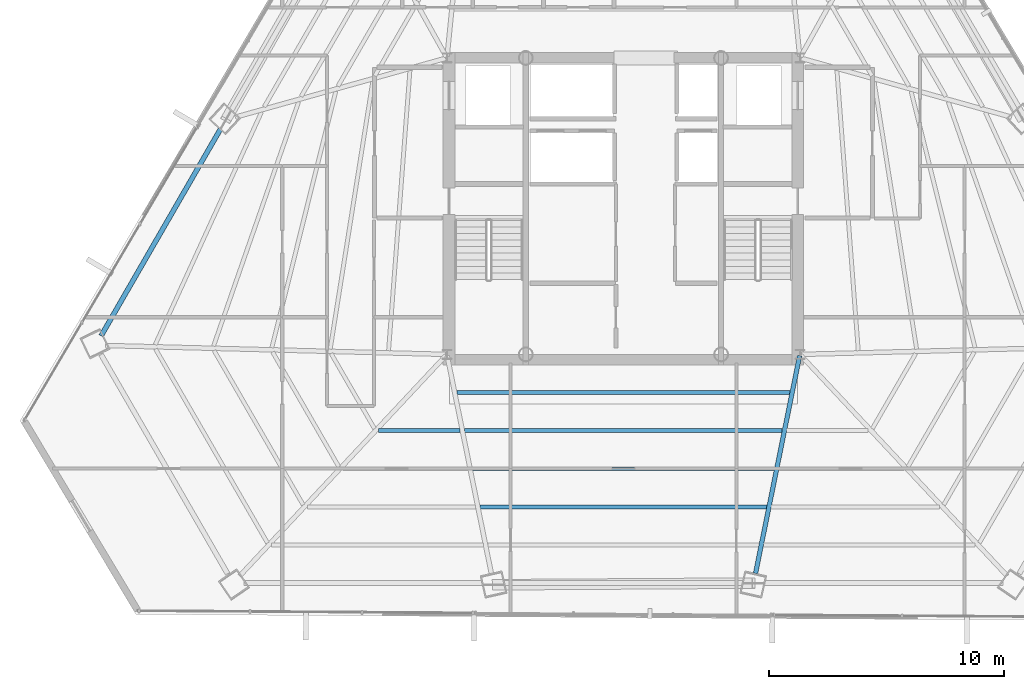
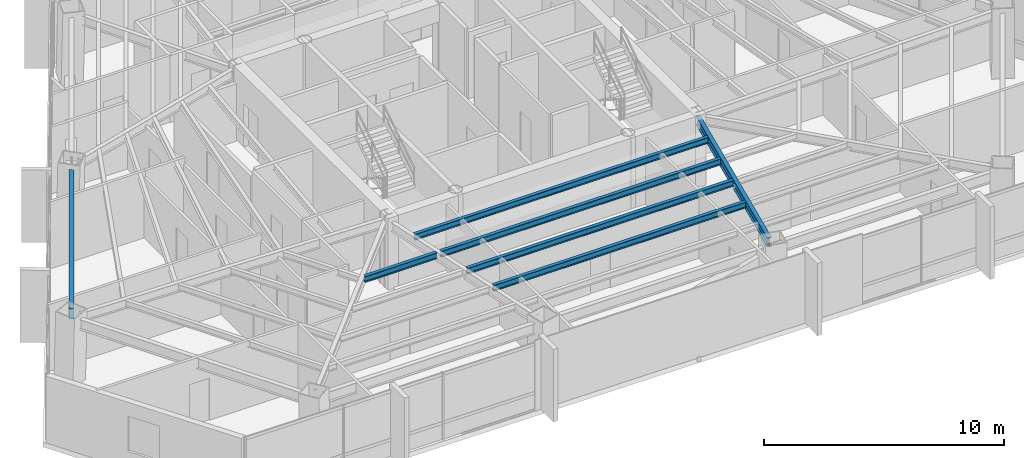
# One storey, part 11 of 41: 7 beams.
"""IFC4 building model written with IfcOpenShell, lengths in metres."""

import ifcopenshell
import ifcopenshell.guid

model = None  # the IFC model being written
_history = None  # IfcOwnerHistory: only IFC2X3 demands one
_inside = {}  # id of a spatial element -> (the spatial element, [elements in it])
_under = {}  # id of a project, library or spatial element -> (it, [spatial elements below it])
_declared = {}  # id of a project -> (the project, [libraries it declares])
_typed = {}  # id of a type object -> (the type object, [elements of that type])
_made_of = {}  # id of a material, layer set ... -> (it, [elements and type objects made of it])


def new_model(schema):
    """Start an empty IFC model of exactly this schema.

    Asked for "IFC4X3", IfcOpenShell would pick the latest addendum, in which some entities
    have other attributes; the version numbers below select the first issue.
    IFC2X3 requires an IfcOwnerHistory on every rooted entity: one is made here for all.
    """
    global model, _history
    if schema == "IFC4X3":
        model = ifcopenshell.file(schema_version=(4, 3, 0, 0))
    else:
        model = ifcopenshell.file(schema=schema)
    _inside.clear()
    _under.clear()
    _declared.clear()
    _typed.clear()
    _made_of.clear()
    _history = None
    if model.schema == "IFC2X3":
        org = make("IfcOrganization", Name="unknown")
        user = make(
            "IfcPersonAndOrganization",
            ThePerson=make("IfcPerson", FamilyName="unknown"),
            TheOrganization=org,
        )
        app = make(
            "IfcApplication",
            ApplicationDeveloper=org,
            Version="unknown",
            ApplicationFullName="unknown",
            ApplicationIdentifier="unknown",
        )
        _history = make(
            "IfcOwnerHistory",
            OwningUser=user,
            OwningApplication=app,
            ChangeAction="ADDED",
            CreationDate=0,
        )
    return model


def make(cls, **values):
    """One entity of the class cls with the attributes given. An attribute that is None is left unset."""
    return model.create_entity(
        cls, **{name: value for name, value in values.items() if value is not None}
    )


def rooted(cls, **values):
    """An entity with a GlobalId (a new one), such as an element, a storey or a relation."""
    return make(cls, GlobalId=ifcopenshell.guid.new(), OwnerHistory=_history, **values)


def si_unit(unit_type, name, prefix=None):
    """IfcSIUnit, for example si_unit("LENGTHUNIT", "METRE", prefix="MILLI")."""
    return make("IfcSIUnit", UnitType=unit_type, Prefix=prefix, Name=name)


def assignment(units):
    """IfcUnitAssignment: the units of a project."""
    return None if units is None else make("IfcUnitAssignment", Units=units)


def point(xyz):
    """IfcCartesianPoint."""
    return None if xyz is None else make("IfcCartesianPoint", Coordinates=xyz)


def direction(xyz):
    """IfcDirection."""
    return None if xyz is None else make("IfcDirection", DirectionRatios=xyz)


def frame(location, z_axis=None, x_axis=None):
    """IfcAxis2Placement3D, a coordinate frame: its origin and axes. An axis left out is left unset."""
    return make(
        "IfcAxis2Placement3D",
        Location=point(location),
        Axis=direction(z_axis),
        RefDirection=direction(x_axis),
    )


def frame_2d(location, x_axis=None):
    """IfcAxis2Placement2D, a coordinate frame in the plane: its origin and x axis."""
    return make(
        "IfcAxis2Placement2D", Location=point(location), RefDirection=direction(x_axis)
    )


def origin():
    """The frame at (0, 0, 0) with its axes left unset."""
    return frame((0.0, 0.0, 0.0))


def origin_2d():
    """The frame at (0, 0) in the plane with its x axis left unset."""
    return frame_2d((0.0, 0.0))


def place(relative_to, where):
    """IfcLocalPlacement: puts the frame where relative to a parent placement (None: the world)."""
    return make(
        "IfcLocalPlacement", PlacementRelTo=relative_to, RelativePlacement=where
    )


def context(
    kind, dimensions, precision=None, world=None, true_north=None, identifier=None
):
    """IfcGeometricRepresentationContext, for example the 3D "Model" context."""
    return make(
        "IfcGeometricRepresentationContext",
        ContextIdentifier=identifier,
        ContextType=kind,
        CoordinateSpaceDimension=dimensions,
        Precision=precision,
        WorldCoordinateSystem=world,
        TrueNorth=true_north,
    )


def subcontext(parent, identifier, kind, view, scale=None):
    """IfcGeometricRepresentationSubContext, for example "Body" below "Model"."""
    return make(
        "IfcGeometricRepresentationSubContext",
        ContextIdentifier=identifier,
        ContextType=kind,
        ParentContext=parent,
        TargetScale=scale,
        TargetView=view,
    )


def project(units=None, contexts=None):
    """IfcProject with its units and contexts."""
    return rooted(
        "IfcProject",
        Name="project",
        RepresentationContexts=contexts,
        UnitsInContext=assignment(units),
    )


def spatial(cls, under=None, at=None, **own):
    """A site, building, storey or space (cls), placed at a placement, below another one or the project."""
    s = rooted(cls, ObjectPlacement=at, **own)
    if under is not None:
        _under.setdefault(under.id(), (under, []))[1].append(s)
    return s


def profile(cls, at=None, kind="AREA", **sizes):
    """A parametric profile (cls). Its sizes go by their IFC names, for example OverallWidth=200.0."""
    return make(cls, ProfileType=kind, Position=at, **sizes)


def i_section(**sizes):
    """IfcIShapeProfileDef."""
    return profile("IfcIShapeProfileDef", **sizes)


def extrude(swept, where, along, depth):
    """IfcExtrudedAreaSolid: the profile swept, set in the frame where, extruded along a direction by depth."""
    return make(
        "IfcExtrudedAreaSolid",
        SweptArea=swept,
        Position=where,
        ExtrudedDirection=direction(along),
        Depth=depth,
    )


def shape(context_of_items, identifier, shape_type, items):
    """IfcShapeRepresentation: the items that make up one representation, for example the "Body"."""
    return make(
        "IfcShapeRepresentation",
        ContextOfItems=context_of_items,
        RepresentationIdentifier=identifier,
        RepresentationType=shape_type,
        Items=items,
    )


def source(mapping_origin, context_of_items, identifier, shape_type, items):
    """IfcRepresentationMap: a shape defined once, which mapped items show again and again."""
    return make(
        "IfcRepresentationMap",
        MappingOrigin=mapping_origin,
        MappedRepresentation=shape(context_of_items, identifier, shape_type, items),
    )


def transform(
    local_origin,
    x_axis=None,
    y_axis=None,
    z_axis=None,
    scale=None,
    scale2=None,
    scale3=None,
    uniform=True,
):
    """IfcCartesianTransformationOperator3D, or its non-uniform kind. x_axis, y_axis, z_axis: its Axis1, 2, 3."""
    if uniform:
        return make(
            "IfcCartesianTransformationOperator3D",
            Axis1=direction(x_axis),
            Axis2=direction(y_axis),
            LocalOrigin=point(local_origin),
            Scale=scale,
            Axis3=direction(z_axis),
        )
    return make(
        "IfcCartesianTransformationOperator3DnonUniform",
        Axis1=direction(x_axis),
        Axis2=direction(y_axis),
        LocalOrigin=point(local_origin),
        Scale=scale,
        Axis3=direction(z_axis),
        Scale2=scale2,
        Scale3=scale3,
    )


def mapped(mapping_source, mapping_target):
    """IfcMappedItem: shows the shape of a source again, moved by a transform."""
    return make(
        "IfcMappedItem", MappingSource=mapping_source, MappingTarget=mapping_target
    )


def material(Name=None, Category=None):
    """IfcMaterial."""
    return make("IfcMaterial", Name=Name, Category=Category)


def material_profile(
    of_material, cross_section, Name=None, Category=None, Priority=None
):
    """IfcMaterialProfile: a cross section and its material."""
    return make(
        "IfcMaterialProfile",
        Name=Name,
        Material=of_material,
        Profile=cross_section,
        Priority=Priority,
        Category=Category,
    )


def profile_set(profiles, Name=None, composite=None):
    """IfcMaterialProfileSet."""
    return make(
        "IfcMaterialProfileSet",
        Name=Name,
        MaterialProfiles=profiles,
        CompositeProfile=composite,
    )


def made_of(thing, what):
    """Note that an element or type object is made of a material, layer set ...; save() writes the relation."""
    if what is not None:
        _made_of.setdefault(what.id(), (what, []))[1].append(thing)
    return thing


def type_object(cls, material=None, **own):
    """A type object (cls), such as IfcWallType, which elements share."""
    return made_of(rooted(cls, **own), material)


def type_shapes(of_type, sources):
    """Give a type object the sources (RepresentationMaps) that its elements show as mapped items."""
    of_type.RepresentationMaps = sources


def element(
    cls,
    number,
    at=None,
    inside=None,
    cuts=None,
    type_object=None,
    material=None,
    context=None,
    identifier="Body",
    shape_type=None,
    held_by="IfcProductDefinitionShape",
    body=None,
    shapes=None,
    **own,
):
    """One element of the class cls, such as IfcWall. Its Tag is "e" and its number.

    at: its placement. inside: the storey or other place that contains it. cuts: it is an
    opening in that element (IfcRelVoidsElement). A single representation is given by context,
    identifier, shape_type and body (its items); several are given by shapes. held_by: the class
    of the entity that holds the representations. save() writes the other relations.
    """
    e = rooted(cls, Tag="e%d" % number, ObjectPlacement=at, **own)
    if body is not None:
        shapes = [shape(context, identifier, shape_type, body)]
    if shapes is not None:
        e.Representation = make(held_by, Representations=shapes)
    if inside is not None:
        _inside.setdefault(inside.id(), (inside, []))[1].append(e)
    if cuts is not None:
        rooted(
            "IfcRelVoidsElement", RelatingBuildingElement=cuts, RelatedOpeningElement=e
        )
    if type_object is not None:
        _typed.setdefault(type_object.id(), (type_object, []))[1].append(e)
    return made_of(e, material)


def aggregate(whole, parts):
    """IfcRelAggregates: a whole, such as a stair, and the parts it consists of."""
    return rooted("IfcRelAggregates", RelatingObject=whole, RelatedObjects=parts)


def save(model, path):
    """Write the relations noted so far, then the file.

    IfcRelAggregates (storeys below a building ...), IfcRelContainedInSpatialStructure (elements
    in a storey), IfcRelDefinesByType, IfcRelAssociatesMaterial and IfcRelDeclares: one each for
    every whole, place, type object, material and project.
    """
    for whole, parts in _under.values():
        aggregate(whole, parts)
    for where, things in _inside.values():
        rooted(
            "IfcRelContainedInSpatialStructure",
            RelatedElements=things,
            RelatingStructure=where,
        )
    for kind, things in _typed.values():
        rooted("IfcRelDefinesByType", RelatedObjects=things, RelatingType=kind)
    for what, things in _made_of.values():
        rooted("IfcRelAssociatesMaterial", RelatedObjects=things, RelatingMaterial=what)
    for by, libraries in _declared.values():
        rooted("IfcRelDeclares", RelatingContext=by, RelatedDefinitions=libraries)
    model.write(path)


model = new_model("IFC4")

# Units and contexts
model_context = context("Model", 3, precision=1e-05, world=origin(), true_north=direction((0.0, 1.0)))
body_context = subcontext(model_context, "Body", "Model", "MODEL_VIEW")
ifc_project = project(units=[si_unit("LENGTHUNIT", "METRE"), si_unit("AREAUNIT", "SQUARE_METRE"), si_unit("VOLUMEUNIT", "CUBIC_METRE"), si_unit("PLANEANGLEUNIT", "RADIAN"), si_unit("MASSUNIT", "GRAM", prefix="KILO")], contexts=[model_context])

# Site, building, storey
site_placement = place(None, origin())
site = spatial("IfcSite", under=ifc_project, at=site_placement, CompositionType="ELEMENT")
building_placement = place(site_placement, origin())
building = spatial("IfcBuilding", under=site, at=building_placement, Name="Caelisora Broadcast Tower", CompositionType="ELEMENT")
storey_placement = place(building_placement, frame((0.0, 0.0, 169.449951171875)))
storey = spatial("IfcBuildingStorey", under=building, at=storey_placement, Name="L44", CompositionType="ELEMENT", Elevation=169.449951171875)

# Beams
ifc_material = material(Name="Steel Grade 350 (AS/NZS 3679.1)", Category="steel")
ifc_material_profile_1 = material_profile(ifc_material, i_section(OverallWidth=0.208984375, OverallDepth=0.532958984375, WebThickness=0.01025390625, FlangeThickness=0.015625, at=origin_2d()), Name="Steel Grade 350 (AS/NZS 3679.1)")
ifc_profile_set_1 = profile_set([ifc_material_profile_1], Name="Steel Grade 350 (AS/NZS 3679.1)")
beam_type_1 = type_object("IfcBeamType", Name="PG05", PredefinedType="BEAM", material=ifc_profile_set_1)
shared_shape_1 = source(origin(), body_context, "Body", "SweptSolid", [
    extrude(i_section(OverallWidth=0.208984375, OverallDepth=0.532958984375, WebThickness=0.01025390625, FlangeThickness=0.015625, at=origin_2d()), origin(), (0.0, 0.0, 1.0), 10.14111328125),
])
type_shapes(beam_type_1, [shared_shape_1])
beam_1_placement = place(storey_placement, frame((20.872802734375, 26.970947265625, 3.133544921875), z_axis=(-0.499999616612, -0.866025625133, 0.0), x_axis=(0.866025625133, -0.499999616612, 0.0)))
element("IfcBeam", 1, at=beam_1_placement, inside=storey, type_object=beam_type_1, Name="L44 beam PG05", PredefinedType="BEAM", context=body_context, shape_type="MappedRepresentation", body=[
    mapped(shared_shape_1, transform((0.0, 0.0, 0.0), scale=1.0)),
])
ifc_material_profile_2 = material_profile(ifc_material, i_section(OverallWidth=0.19091796875, OverallDepth=0.46044921875, WebThickness=0.010009765625, FlangeThickness=0.01611328125, at=origin_2d()), Name="Steel Grade 350 (AS/NZS 3679.1)")
ifc_profile_set_2 = profile_set([ifc_material_profile_2], Name="Steel Grade 350 (AS/NZS 3679.1)")
beam_type_2 = type_object("IfcBeamType", Name="PG06", PredefinedType="BEAM", material=ifc_profile_set_2)
shared_shape_2 = source(origin(), body_context, "Body", "SweptSolid", [
    extrude(i_section(OverallWidth=0.19091796875, OverallDepth=0.46044921875, WebThickness=0.010009765625, FlangeThickness=0.01611328125, at=origin_2d()), origin(), (0.0, 0.0, 1.0), 9.435791015625),
])
type_shapes(beam_type_2, [shared_shape_2])
beam_2_placement = place(storey_placement, frame((45.488037109375, 17.34130859375, 3.169921875), z_axis=(-0.198608355907, -0.980078936088, 0.0), x_axis=(0.980078936088, -0.198608355907, 0.0)))
element("IfcBeam", 2, at=beam_2_placement, inside=storey, type_object=beam_type_2, Name="L44 beam PG06", PredefinedType="BEAM", context=body_context, shape_type="MappedRepresentation", body=[
    mapped(shared_shape_2, transform((0.0, 0.0, 0.0), scale=1.0)),
])
ifc_material_profile_3 = material_profile(ifc_material, i_section(OverallWidth=0.166015625, OverallDepth=0.30712890625, WebThickness=0.006591796875, FlangeThickness=0.01171875, at=origin_2d()), Name="Steel Grade 350 (AS/NZS 3679.1)")
ifc_profile_set_3 = profile_set([ifc_material_profile_3], Name="Steel Grade 350 (AS/NZS 3679.1)")
beam_type_3 = type_object("IfcBeamType", Name="SB03", PredefinedType="JOIST", material=ifc_profile_set_3)
shared_shape_3 = source(origin(), body_context, "Body", "SweptSolid", [
    extrude(i_section(OverallWidth=0.166015625, OverallDepth=0.30712890625, WebThickness=0.006591796875, FlangeThickness=0.01171875, at=origin_2d()), origin(), (0.0, 0.0, 1.0), 3.46484375),
])
beam_3_placement = place(storey_placement, frame((27.59716796875, 14.16064453125, 3.246337890625), z_axis=(1.0, 0.0, 0.0), x_axis=(0.0, 1.0, 0.0)))
element("IfcBeam", 3, at=beam_3_placement, inside=storey, type_object=beam_type_3, Name="L44 beam SB03", PredefinedType="JOIST", context=body_context, shape_type="MappedRepresentation", body=[
    mapped(shared_shape_3, transform((0.0, 0.0, 0.0), scale=1.0)),
])
shared_shape_4 = source(origin(), body_context, "Body", "SweptSolid", [
    extrude(i_section(OverallWidth=0.166015625, OverallDepth=0.30712890625, WebThickness=0.006591796875, FlangeThickness=0.01171875, at=origin_2d()), origin(), (0.0, 0.0, 1.0), 14.15478515625),
])
beam_4_placement = place(storey_placement, frame((30.922607421875, 15.7802734375, 3.246337890625), z_axis=(1.0, 0.0, 0.0), x_axis=(0.0, 1.0, 0.0)))
element("IfcBeam", 4, at=beam_4_placement, inside=storey, type_object=beam_type_3, Name="L44 beam SB03", PredefinedType="JOIST", context=body_context, shape_type="MappedRepresentation", body=[
    mapped(shared_shape_4, transform((0.0, 0.0, 0.0), scale=1.0)),
])
shared_shape_5 = source(origin(), body_context, "Body", "SweptSolid", [
    extrude(i_section(OverallWidth=0.166015625, OverallDepth=0.30712890625, WebThickness=0.006591796875, FlangeThickness=0.01171875, at=origin_2d()), origin(), (0.0, 0.0, 1.0), 13.49853515625),
])
beam_5_placement = place(storey_placement, frame((31.250732421875, 14.16064453125, 3.246337890625), z_axis=(1.0, 0.0, 0.0), x_axis=(0.0, 1.0, 0.0)))
element("IfcBeam", 5, at=beam_5_placement, inside=storey, type_object=beam_type_3, Name="L44 beam SB03", PredefinedType="JOIST", context=body_context, shape_type="MappedRepresentation", body=[
    mapped(shared_shape_5, transform((0.0, 0.0, 0.0), scale=1.0)),
])
shared_shape_6 = source(origin(), body_context, "Body", "SweptSolid", [
    extrude(i_section(OverallWidth=0.166015625, OverallDepth=0.30712890625, WebThickness=0.006591796875, FlangeThickness=0.01171875, at=origin_2d()), origin(), (0.0, 0.0, 1.0), 12.841796875),
])
beam_6_placement = place(storey_placement, frame((31.5791015625, 12.541015625, 3.246337890625), z_axis=(1.0, 0.0, 0.0), x_axis=(0.0, 1.0, 0.0)))
element("IfcBeam", 6, at=beam_6_placement, inside=storey, type_object=beam_type_3, Name="L44 beam SB03", PredefinedType="JOIST", context=body_context, shape_type="MappedRepresentation", body=[
    mapped(shared_shape_6, transform((0.0, 0.0, 0.0), scale=1.0)),
])
shared_shape_7 = source(origin(), body_context, "Body", "SweptSolid", [
    extrude(i_section(OverallWidth=0.166015625, OverallDepth=0.30712890625, WebThickness=0.006591796875, FlangeThickness=0.01171875, at=origin_2d()), origin(), (0.0, 0.0, 1.0), 12.185546875),
])
type_shapes(beam_type_3, [shared_shape_3, shared_shape_4, shared_shape_5, shared_shape_6, shared_shape_7])
beam_7_placement = place(storey_placement, frame((31.9072265625, 10.92138671875, 3.246337890625), z_axis=(1.0, 0.0, 0.0), x_axis=(0.0, 1.0, 0.0)))
element("IfcBeam", 7, at=beam_7_placement, inside=storey, type_object=beam_type_3, Name="L44 beam SB03", PredefinedType="JOIST", context=body_context, shape_type="MappedRepresentation", body=[
    mapped(shared_shape_7, transform((0.0, 0.0, 0.0), scale=1.0)),
])

save(model, "model.ifc")
